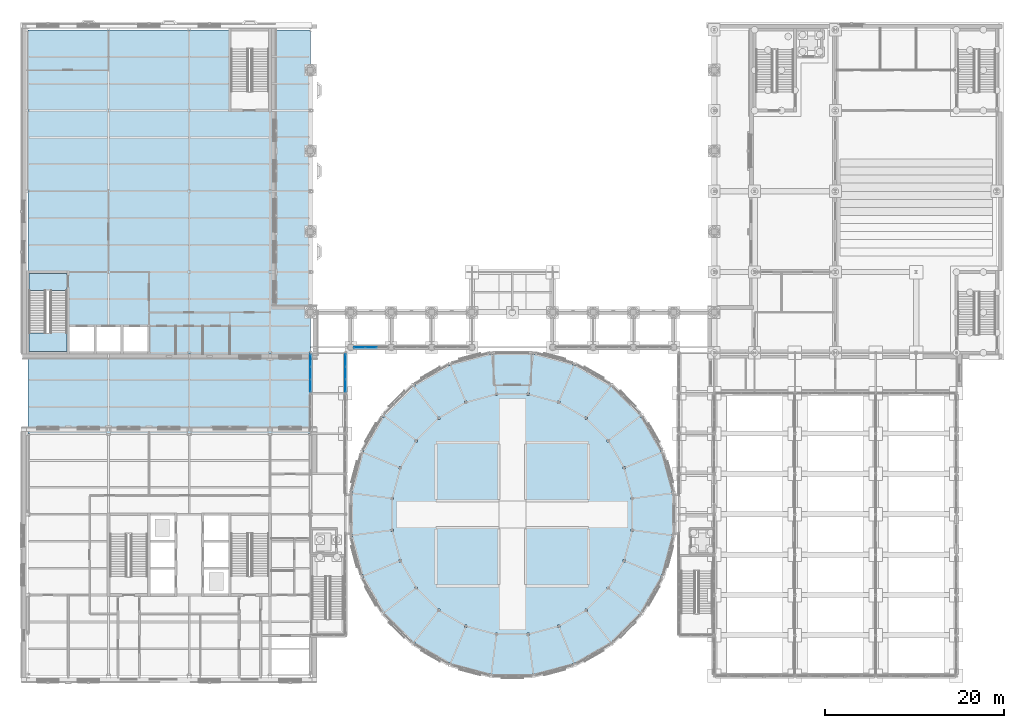
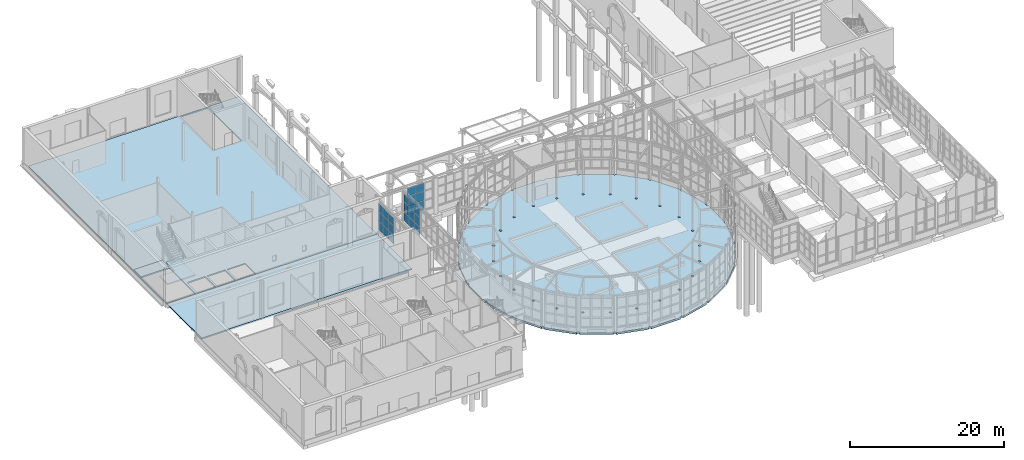
# One storey, part 59 of 106: 24 plates, 5 slabs, 4 elements without a shape of their own.
"""IFC4 building model written with IfcOpenShell, lengths in metres."""

from ifc_helpers import new_model, si_unit, direction, frame, origin, origin_2d, place, context, subcontext, project, spatial, polyline, rectangle, outline, extrude, material, layer, layer_set, type_object, element, aggregate, save


model = new_model("IFC4")

# Units and contexts
model_context = context("Model", 3, precision=1e-05, world=origin(), true_north=direction((0.0, 1.0)))
body_context = subcontext(model_context, "Body", "Model", "MODEL_VIEW")
ifc_project = project(units=[si_unit("LENGTHUNIT", "METRE"), si_unit("AREAUNIT", "SQUARE_METRE"), si_unit("VOLUMEUNIT", "CUBIC_METRE"), si_unit("PLANEANGLEUNIT", "RADIAN"), si_unit("MASSUNIT", "GRAM", prefix="KILO")], contexts=[model_context])

# Site, building, storey
site_placement = place(None, origin())
site = spatial("IfcSite", under=ifc_project, at=site_placement, CompositionType="ELEMENT")
building_placement = place(site_placement, origin())
building = spatial("IfcBuilding", under=site, at=building_placement, Name="Hortulan Conservatory and Botanical Research Centre", CompositionType="ELEMENT")
storey_placement = place(building_placement, origin())
storey = spatial("IfcBuildingStorey", under=building, at=storey_placement, Name="L00", CompositionType="ELEMENT", Elevation=0.0)

# Slabs
ifc_material_1 = material(Name="Concrete N40 (40 MPa, AS 3600)", Category="concrete")
ifc_layer_1 = layer(ifc_material_1, 0.199951171875)
ifc_layer_set_1 = layer_set([ifc_layer_1], Name="Composite Floor Slab 200")
slab_type_1 = type_object("IfcSlabType", Name="Composite Floor Slab 200", PredefinedType="FLOOR", material=ifc_layer_set_1)
slab_1_placement = place(storey_placement, frame((0.0, 0.0, -0.199951171875)))
element("IfcSlab", 1, at=slab_1_placement, inside=storey, type_object=slab_type_1, Name="Floor slab", PredefinedType="FLOOR", context=body_context, shape_type="SweptSolid", body=[
    extrude(outline(polyline([(0.0, 36.0), (31.5, 36.0), (31.5, 72.0), (0.0, 72.0), (0.0, 36.0)]), holes=[polyline([(4.64990234375, 36.14990234375), (7.35009765625, 36.14990234375), (7.35009765625, 38.85009765625), (4.64990234375, 38.85009765625), (4.64990234375, 36.14990234375)]), polyline([(7.64990234375, 36.14990234375), (10.35009765625, 36.14990234375), (10.35009765625, 38.85009765625), (7.64990234375, 38.85009765625), (7.64990234375, 36.14990234375)]), polyline([(10.64990234375, 36.14990234375), (13.35009765625, 36.14990234375), (13.35009765625, 38.85009765625), (10.64990234375, 38.85009765625), (10.64990234375, 36.14990234375)]), polyline([(0.14990234375, 44.85009765625), (0.14990234375, 36.14990234375), (4.35009765625, 36.14990234375), (4.35009765625, 44.85009765625), (0.14990234375, 44.85009765625)]), polyline([(22.64990234375, 71.85009765625), (22.64990234375, 63.14990234375), (26.85009765625, 63.14990234375), (26.85009765625, 71.85009765625), (22.64990234375, 71.85009765625)])]), origin(), (0.0, 0.0, 1.0), 0.199951171875),
])
ifc_layer_2 = layer(ifc_material_1, 0.199951171875)
ifc_layer_set_2 = layer_set([ifc_layer_2], Name="Court Deck Slab 200")
slab_type_2 = type_object("IfcSlabType", Name="Court Deck Slab 200", PredefinedType="ROOF", material=ifc_layer_set_2)
slab_2_placement = place(storey_placement, frame((0.0, 0.0, -0.199951171875)))
element("IfcSlab", 2, at=slab_2_placement, inside=storey, type_object=slab_type_2, Name="Roof slab", PredefinedType="ROOF", context=body_context, shape_type="SweptSolid", body=[
    extrude(outline(polyline([(31.5, 27.0), (31.5, 36.0), (0.0, 36.0), (0.0, 27.0), (31.5, 27.0)])), origin(), (0.0, 0.0, 1.0), 0.199951171875),
])
ifc_layer_3 = layer(ifc_material_1, 0.300048828125)
ifc_layer_set_3 = layer_set([ifc_layer_3], Name="Dome Floor Slab 300")
slab_type_3 = type_object("IfcSlabType", Name="Dome Floor Slab 300", PredefinedType="FLOOR", material=ifc_layer_set_3)
slab_3_placement = place(storey_placement, frame((0.0, 0.0, -0.300048828125)))
element("IfcSlab", 3, at=slab_3_placement, inside=storey, type_object=slab_type_3, Name="Dome floor slab W1", PredefinedType="FLOOR", context=body_context, shape_type="SweptSolid", body=[
    extrude(outline(polyline([(70.822998046875, 11.2373046875), (70.58837890625, 11.2373046875), (70.58837890625, 10.8671875), (70.66650390625, 10.8671875), (68.510498046875, 7.1328125), (68.218505859375, 7.1328125), (68.218505859375, 6.7626953125), (65.2373046875, 3.781494140625), (64.8671875, 3.781494140625), (64.8671875, 3.489501953125), (61.1328125, 1.33349609375), (61.1328125, 1.41162109375), (60.7626953125, 1.41162109375), (60.7626953125, 1.177001953125), (56.5546875, 0.049560546875), (56.5546875, 0.18505859375), (56.184814453125, 0.18505859375), (56.184814453125, 0.0), (51.815185546875, 0.0), (51.815185546875, 0.18505859375), (51.4453125, 0.18505859375), (51.4453125, 0.049560546875), (47.2373046875, 1.177001953125), (47.2373046875, 1.41162109375), (46.8671875, 1.41162109375), (46.8671875, 1.33349609375), (43.1328125, 3.489501953125), (43.1328125, 3.781494140625), (42.7626953125, 3.781494140625), (42.7626953125, 3.781494140625), (39.781494140625, 6.7626953125), (39.781494140625, 7.1328125), (39.489501953125, 7.1328125), (37.33349609375, 10.8671875), (37.41162109375, 10.8671875), (37.41162109375, 11.2373046875), (37.177001953125, 11.2373046875), (36.049560546875, 15.4453125), (36.18505859375, 15.4453125), (36.18505859375, 15.815185546875), (36.0, 15.815185546875), (36.0, 20.184814453125), (36.18505859375, 20.184814453125), (36.18505859375, 20.5546875), (36.049560546875, 20.5546875), (37.177001953125, 24.7626953125), (37.41162109375, 24.7626953125), (37.41162109375, 25.1328125), (37.33349609375, 25.1328125), (39.489501953125, 28.8671875), (39.781494140625, 28.8671875), (39.781494140625, 29.2373046875), (42.7626953125, 32.218505859375), (43.1328125, 32.218505859375), (43.1328125, 32.510498046875), (46.8671875, 34.66650390625), (46.8671875, 34.58837890625), (47.2373046875, 34.58837890625), (47.2373046875, 34.822998046875), (51.4453125, 35.950439453125), (51.4453125, 35.81494140625), (51.815185546875, 35.81494140625), (51.815185546875, 36.0), (56.184814453125, 36.0), (56.184814453125, 35.81494140625), (56.5546875, 35.81494140625), (56.5546875, 35.950439453125), (60.7626953125, 34.822998046875), (60.7626953125, 34.58837890625), (61.1328125, 34.58837890625), (61.1328125, 34.66650390625), (64.8671875, 32.510498046875), (64.8671875, 32.218505859375), (65.2373046875, 32.218505859375), (68.218505859375, 29.2373046875), (68.218505859375, 28.8671875), (68.510498046875, 28.8671875), (70.66650390625, 25.1328125), (70.58837890625, 25.1328125), (70.58837890625, 24.7626953125), (70.822998046875, 24.7626953125), (71.950439453125, 20.5546875), (71.81494140625, 20.5546875), (71.81494140625, 20.184814453125), (72.0, 20.184814453125), (72.0, 15.815185546875), (71.81494140625, 15.815185546875), (71.81494140625, 15.4453125), (71.950439453125, 15.4453125), (70.822998046875, 11.2373046875)]), holes=[polyline([(45.646728515625, 7.15478515625), (45.916748046875, 7.15478515625), (45.916748046875, 7.4248046875), (45.646728515625, 7.4248046875), (45.646728515625, 7.15478515625)]), polyline([(43.4248046875, 9.646728515625), (43.4248046875, 9.916748046875), (43.15478515625, 9.916748046875), (43.15478515625, 9.646728515625), (43.4248046875, 9.646728515625)]), polyline([(41.392578125, 12.69873046875), (41.66259765625, 12.69873046875), (41.66259765625, 12.96875), (41.392578125, 12.96875), (41.392578125, 12.69873046875)]), polyline([(40.48046875, 16.102783203125), (40.75048828125, 16.102783203125), (40.75048828125, 16.372802734375), (40.48046875, 16.372802734375), (40.48046875, 16.102783203125)]), polyline([(40.48046875, 19.627197265625), (40.75048828125, 19.627197265625), (40.75048828125, 19.897216796875), (40.48046875, 19.897216796875), (40.48046875, 19.627197265625)]), polyline([(41.392578125, 23.03125), (41.66259765625, 23.03125), (41.66259765625, 23.30126953125), (41.392578125, 23.30126953125), (41.392578125, 23.03125)]), polyline([(43.4248046875, 26.083251953125), (43.4248046875, 26.353271484375), (43.15478515625, 26.353271484375), (43.15478515625, 26.083251953125), (43.4248046875, 26.083251953125)]), polyline([(45.646728515625, 28.5751953125), (45.916748046875, 28.5751953125), (45.916748046875, 28.84521484375), (45.646728515625, 28.84521484375), (45.646728515625, 28.5751953125)]), polyline([(52.102783203125, 4.48046875), (52.372802734375, 4.48046875), (52.372802734375, 4.75048828125), (52.102783203125, 4.75048828125), (52.102783203125, 4.48046875)]), polyline([(55.897216796875, 4.48046875), (55.897216796875, 4.75048828125), (55.627197265625, 4.75048828125), (55.627197265625, 4.48046875), (55.897216796875, 4.48046875)]), polyline([(48.69873046875, 5.392578125), (48.96875, 5.392578125), (48.96875, 5.66259765625), (48.69873046875, 5.66259765625), (48.69873046875, 5.392578125)]), polyline([(59.03125, 5.392578125), (59.30126953125, 5.392578125), (59.30126953125, 5.66259765625), (59.03125, 5.66259765625), (59.03125, 5.392578125)]), polyline([(48.96875, 30.33740234375), (48.96875, 30.607421875), (48.69873046875, 30.607421875), (48.69873046875, 30.33740234375), (48.96875, 30.33740234375)]), polyline([(59.03125, 30.33740234375), (59.30126953125, 30.33740234375), (59.30126953125, 30.607421875), (59.03125, 30.607421875), (59.03125, 30.33740234375)]), polyline([(52.102783203125, 31.24951171875), (52.372802734375, 31.24951171875), (52.372802734375, 31.51953125), (52.102783203125, 31.51953125), (52.102783203125, 31.24951171875)]), polyline([(55.897216796875, 31.24951171875), (55.897216796875, 31.51953125), (55.627197265625, 31.51953125), (55.627197265625, 31.24951171875), (55.897216796875, 31.24951171875)]), polyline([(62.083251953125, 7.15478515625), (62.353271484375, 7.15478515625), (62.353271484375, 7.4248046875), (62.083251953125, 7.4248046875), (62.083251953125, 7.15478515625)]), polyline([(64.5751953125, 9.646728515625), (64.84521484375, 9.646728515625), (64.84521484375, 9.916748046875), (64.5751953125, 9.916748046875), (64.5751953125, 9.646728515625)]), polyline([(66.33740234375, 12.69873046875), (66.607421875, 12.69873046875), (66.607421875, 12.96875), (66.33740234375, 12.96875), (66.33740234375, 12.69873046875)]), polyline([(67.51953125, 16.102783203125), (67.51953125, 16.372802734375), (67.24951171875, 16.372802734375), (67.24951171875, 16.102783203125), (67.51953125, 16.102783203125)]), polyline([(67.24951171875, 19.627197265625), (67.51953125, 19.627197265625), (67.51953125, 19.897216796875), (67.24951171875, 19.897216796875), (67.24951171875, 19.627197265625)]), polyline([(66.607421875, 23.03125), (66.607421875, 23.30126953125), (66.33740234375, 23.30126953125), (66.33740234375, 23.03125), (66.607421875, 23.03125)]), polyline([(64.5751953125, 26.083251953125), (64.84521484375, 26.083251953125), (64.84521484375, 26.353271484375), (64.5751953125, 26.353271484375), (64.5751953125, 26.083251953125)]), polyline([(62.353271484375, 28.5751953125), (62.353271484375, 28.84521484375), (62.083251953125, 28.84521484375), (62.083251953125, 28.5751953125), (62.353271484375, 28.5751953125)])]), origin(), (0.0, 0.0, 1.0), 0.300048828125),
])

# Curtain wall, plates
ifc_material_2 = material(Name="Bronze-finished aluminium", Category="aluminium")
ifc_layer_4 = layer(ifc_material_2, 0.10009765625)
ifc_layer_set_4 = layer_set([ifc_layer_4], Name="Bronze-framed Curtain Wall 1500 module")
curtain_wall_type = type_object("IfcCurtainWallType", Name="Bronze-framed Curtain Wall 1500 module", PredefinedType="NOTDEFINED", material=ifc_layer_set_4)
curtain_wall_1_placement = place(storey_placement, origin())
curtain_wall_1 = element("IfcCurtainWall", 4, at=curtain_wall_1_placement, inside=storey, type_object=curtain_wall_type, Name="Curtain wall", PredefinedType="NOTDEFINED")
ifc_material_3 = material(Name="Low-e laminated glass", Category="glass")
ifc_layer_5 = layer(ifc_material_3, 0.028076171875)
ifc_layer_set_5 = layer_set([ifc_layer_5], Name="Laminated Glass Panel 28")
plate_type = type_object("IfcPlateType", Name="Laminated Glass Panel 28", PredefinedType="CURTAIN_PANEL", material=ifc_layer_set_5)
plate_1_placement = place(storey_placement, frame((35.39990234375, 35.151611328125, 0.9599609375), z_axis=(0.0, 0.0, 1.0), x_axis=(0.0, -1.0, 0.0)))
plate_1 = element("IfcPlate", 5, at=plate_1_placement, type_object=plate_type, Name="CW1 panel 1.1", PredefinedType="CURTAIN_PANEL", context=body_context, shape_type="SweptSolid", body=[
    extrude(rectangle(XDim=1.32666015625, YDim=0.028076171875, at=origin_2d()), origin(), (0.0, 0.0, 1.0), 1.409912109375),
])
plate_2_placement = place(storey_placement, frame((35.39990234375, 35.151611328125, 2.429931640625), z_axis=(0.0, 0.0, 1.0), x_axis=(0.0, -1.0, 0.0)))
plate_2 = element("IfcPlate", 6, at=plate_2_placement, type_object=plate_type, Name="CW1 panel 1.2", PredefinedType="CURTAIN_PANEL", context=body_context, shape_type="SweptSolid", body=[
    extrude(rectangle(XDim=1.32666015625, YDim=0.028076171875, at=origin_2d()), origin(), (0.0, 0.0, 1.0), 1.43994140625),
])
plate_3_placement = place(storey_placement, frame((35.39990234375, 35.151611328125, 3.929931640625), z_axis=(0.0, 0.0, 1.0), x_axis=(0.0, -1.0, 0.0)))
plate_3 = element("IfcPlate", 7, at=plate_3_placement, type_object=plate_type, Name="CW1 panel 1.3", PredefinedType="CURTAIN_PANEL", context=body_context, shape_type="SweptSolid", body=[
    extrude(rectangle(XDim=1.32666015625, YDim=0.028076171875, at=origin_2d()), origin(), (0.0, 0.0, 1.0), 1.25),
])
plate_4_placement = place(storey_placement, frame((35.39990234375, 33.75, 0.9599609375), z_axis=(0.0, 0.0, 1.0), x_axis=(0.0, -1.0, 0.0)))
plate_4 = element("IfcPlate", 8, at=plate_4_placement, type_object=plate_type, Name="CW1 panel 2.1", PredefinedType="CURTAIN_PANEL", context=body_context, shape_type="SweptSolid", body=[
    extrude(rectangle(XDim=1.356689453125, YDim=0.028076171875, at=origin_2d()), origin(), (0.0, 0.0, 1.0), 1.409912109375),
])
plate_5_placement = place(storey_placement, frame((35.39990234375, 33.75, 2.429931640625), z_axis=(0.0, 0.0, 1.0), x_axis=(0.0, -1.0, 0.0)))
plate_5 = element("IfcPlate", 9, at=plate_5_placement, type_object=plate_type, Name="CW1 panel 2.2", PredefinedType="CURTAIN_PANEL", context=body_context, shape_type="SweptSolid", body=[
    extrude(rectangle(XDim=1.356689453125, YDim=0.028076171875, at=origin_2d()), origin(), (0.0, 0.0, 1.0), 1.43994140625),
])
plate_6_placement = place(storey_placement, frame((35.39990234375, 33.75, 3.929931640625), z_axis=(0.0, 0.0, 1.0), x_axis=(0.0, -1.0, 0.0)))
plate_6 = element("IfcPlate", 10, at=plate_6_placement, type_object=plate_type, Name="CW1 panel 2.3", PredefinedType="CURTAIN_PANEL", context=body_context, shape_type="SweptSolid", body=[
    extrude(rectangle(XDim=1.356689453125, YDim=0.028076171875, at=origin_2d()), origin(), (0.0, 0.0, 1.0), 1.25),
])
plate_7_placement = place(storey_placement, frame((35.39990234375, 32.348388671875, 0.9599609375), z_axis=(0.0, 0.0, 1.0), x_axis=(0.0, -1.0, 0.0)))
plate_7 = element("IfcPlate", 11, at=plate_7_placement, type_object=plate_type, Name="CW1 panel 3.1", PredefinedType="CURTAIN_PANEL", context=body_context, shape_type="SweptSolid", body=[
    extrude(rectangle(XDim=1.32666015625, YDim=0.028076171875, at=origin_2d()), origin(), (0.0, 0.0, 1.0), 1.409912109375),
])
plate_8_placement = place(storey_placement, frame((35.39990234375, 32.348388671875, 2.429931640625), z_axis=(0.0, 0.0, 1.0), x_axis=(0.0, -1.0, 0.0)))
plate_8 = element("IfcPlate", 12, at=plate_8_placement, type_object=plate_type, Name="CW1 panel 3.2", PredefinedType="CURTAIN_PANEL", context=body_context, shape_type="SweptSolid", body=[
    extrude(rectangle(XDim=1.32666015625, YDim=0.028076171875, at=origin_2d()), origin(), (0.0, 0.0, 1.0), 1.43994140625),
])
plate_9_placement = place(storey_placement, frame((35.39990234375, 32.348388671875, 3.929931640625), z_axis=(0.0, 0.0, 1.0), x_axis=(0.0, -1.0, 0.0)))
plate_9 = element("IfcPlate", 13, at=plate_9_placement, type_object=plate_type, Name="CW1 panel 3.3", PredefinedType="CURTAIN_PANEL", context=body_context, shape_type="SweptSolid", body=[
    extrude(rectangle(XDim=1.32666015625, YDim=0.028076171875, at=origin_2d()), origin(), (0.0, 0.0, 1.0), 1.25),
])
aggregate(curtain_wall_1, [plate_1, plate_2, plate_3, plate_4, plate_5, plate_6, plate_7, plate_8, plate_9])

curtain_wall_2_placement = place(storey_placement, origin())
curtain_wall_2 = element("IfcCurtainWall", 14, at=curtain_wall_2_placement, inside=storey, type_object=curtain_wall_type, Name="Curtain wall", PredefinedType="NOTDEFINED")
plate_10_placement = place(storey_placement, frame((31.5, 32.342529296875, 0.9599609375), z_axis=(0.0, 0.0, 1.0), x_axis=(0.0, 1.0, 0.0)))
plate_10 = element("IfcPlate", 15, at=plate_10_placement, type_object=plate_type, Name="CW1 panel 1.1", PredefinedType="CURTAIN_PANEL", context=body_context, shape_type="SweptSolid", body=[
    extrude(rectangle(XDim=1.31494140625, YDim=0.028076171875, at=origin_2d()), origin(), (0.0, 0.0, 1.0), 1.409912109375),
])
plate_11_placement = place(storey_placement, frame((31.5, 32.342529296875, 2.429931640625), z_axis=(0.0, 0.0, 1.0), x_axis=(0.0, 1.0, 0.0)))
plate_11 = element("IfcPlate", 16, at=plate_11_placement, type_object=plate_type, Name="CW1 panel 1.2", PredefinedType="CURTAIN_PANEL", context=body_context, shape_type="SweptSolid", body=[
    extrude(rectangle(XDim=1.31494140625, YDim=0.028076171875, at=origin_2d()), origin(), (0.0, 0.0, 1.0), 1.43994140625),
])
plate_12_placement = place(storey_placement, frame((31.5, 32.342529296875, 3.929931640625), z_axis=(0.0, 0.0, 1.0), x_axis=(0.0, 1.0, 0.0)))
plate_12 = element("IfcPlate", 17, at=plate_12_placement, type_object=plate_type, Name="CW1 panel 1.3", PredefinedType="CURTAIN_PANEL", context=body_context, shape_type="SweptSolid", body=[
    extrude(rectangle(XDim=1.31494140625, YDim=0.028076171875, at=origin_2d()), origin(), (0.0, 0.0, 1.0), 1.25),
])
plate_13_placement = place(storey_placement, frame((31.5, 33.732177734375, 0.9599609375), z_axis=(0.0, 0.0, 1.0), x_axis=(0.0, 1.0, 0.0)))
plate_13 = element("IfcPlate", 18, at=plate_13_placement, type_object=plate_type, Name="CW1 panel 2.1", PredefinedType="CURTAIN_PANEL", context=body_context, shape_type="SweptSolid", body=[
    extrude(rectangle(XDim=1.3447265625, YDim=0.028076171875, at=origin_2d()), origin(), (0.0, 0.0, 1.0), 1.409912109375),
])
plate_14_placement = place(storey_placement, frame((31.5, 33.732177734375, 2.429931640625), z_axis=(0.0, 0.0, 1.0), x_axis=(0.0, 1.0, 0.0)))
plate_14 = element("IfcPlate", 19, at=plate_14_placement, type_object=plate_type, Name="CW1 panel 2.2", PredefinedType="CURTAIN_PANEL", context=body_context, shape_type="SweptSolid", body=[
    extrude(rectangle(XDim=1.3447265625, YDim=0.028076171875, at=origin_2d()), origin(), (0.0, 0.0, 1.0), 1.43994140625),
])
plate_15_placement = place(storey_placement, frame((31.5, 33.732177734375, 3.929931640625), z_axis=(0.0, 0.0, 1.0), x_axis=(0.0, 1.0, 0.0)))
plate_15 = element("IfcPlate", 20, at=plate_15_placement, type_object=plate_type, Name="CW1 panel 2.3", PredefinedType="CURTAIN_PANEL", context=body_context, shape_type="SweptSolid", body=[
    extrude(rectangle(XDim=1.3447265625, YDim=0.028076171875, at=origin_2d()), origin(), (0.0, 0.0, 1.0), 1.25),
])
plate_16_placement = place(storey_placement, frame((31.5, 35.1220703125, 0.9599609375), z_axis=(0.0, 0.0, 1.0), x_axis=(0.0, 1.0, 0.0)))
plate_16 = element("IfcPlate", 21, at=plate_16_placement, type_object=plate_type, Name="CW1 panel 3.1", PredefinedType="CURTAIN_PANEL", context=body_context, shape_type="SweptSolid", body=[
    extrude(rectangle(XDim=1.31494140625, YDim=0.028076171875, at=origin_2d()), origin(), (0.0, 0.0, 1.0), 1.409912109375),
])
plate_17_placement = place(storey_placement, frame((31.5, 35.1220703125, 2.429931640625), z_axis=(0.0, 0.0, 1.0), x_axis=(0.0, 1.0, 0.0)))
plate_17 = element("IfcPlate", 22, at=plate_17_placement, type_object=plate_type, Name="CW1 panel 3.2", PredefinedType="CURTAIN_PANEL", context=body_context, shape_type="SweptSolid", body=[
    extrude(rectangle(XDim=1.31494140625, YDim=0.028076171875, at=origin_2d()), origin(), (0.0, 0.0, 1.0), 1.43994140625),
])
plate_18_placement = place(storey_placement, frame((31.5, 35.1220703125, 3.929931640625), z_axis=(0.0, 0.0, 1.0), x_axis=(0.0, 1.0, 0.0)))
plate_18 = element("IfcPlate", 23, at=plate_18_placement, type_object=plate_type, Name="CW1 panel 3.3", PredefinedType="CURTAIN_PANEL", context=body_context, shape_type="SweptSolid", body=[
    extrude(rectangle(XDim=1.31494140625, YDim=0.028076171875, at=origin_2d()), origin(), (0.0, 0.0, 1.0), 1.25),
])
aggregate(curtain_wall_2, [plate_10, plate_11, plate_12, plate_13, plate_14, plate_15, plate_16, plate_17, plate_18])

curtain_wall_3_placement = place(storey_placement, origin())
curtain_wall_3 = element("IfcCurtainWall", 24, at=curtain_wall_3_placement, inside=storey, type_object=curtain_wall_type, Name="Curtain wall", PredefinedType="NOTDEFINED")
plate_19_placement = place(storey_placement, frame((36.965087890625, 36.60009765625, 0.9599609375), z_axis=(0.0, 0.0, 1.0), x_axis=(1.0, 0.0, 0.0)))
plate_19 = element("IfcPlate", 25, at=plate_19_placement, type_object=plate_type, Name="CW1 panel 1.1", PredefinedType="CURTAIN_PANEL", context=body_context, shape_type="SweptSolid", body=[
    extrude(rectangle(XDim=1.2099609375, YDim=0.028076171875, at=origin_2d()), origin(), (0.0, 0.0, 1.0), 1.409912109375),
])
plate_20_placement = place(storey_placement, frame((36.965087890625, 36.60009765625, 2.429931640625), z_axis=(0.0, 0.0, 1.0), x_axis=(1.0, 0.0, 0.0)))
plate_20 = element("IfcPlate", 26, at=plate_20_placement, type_object=plate_type, Name="CW1 panel 1.2", PredefinedType="CURTAIN_PANEL", context=body_context, shape_type="SweptSolid", body=[
    extrude(rectangle(XDim=1.2099609375, YDim=0.028076171875, at=origin_2d()), origin(), (0.0, 0.0, 1.0), 1.43994140625),
])
plate_21_placement = place(storey_placement, frame((36.965087890625, 36.60009765625, 3.929931640625), z_axis=(0.0, 0.0, 1.0), x_axis=(1.0, 0.0, 0.0)))
plate_21 = element("IfcPlate", 27, at=plate_21_placement, type_object=plate_type, Name="CW1 panel 1.3", PredefinedType="CURTAIN_PANEL", context=body_context, shape_type="SweptSolid", body=[
    extrude(rectangle(XDim=1.2099609375, YDim=0.028076171875, at=origin_2d()), origin(), (0.0, 0.0, 1.0), 1.25),
])
plate_22_placement = place(storey_placement, frame((38.25, 36.60009765625, 0.9599609375), z_axis=(0.0, 0.0, 1.0), x_axis=(1.0, 0.0, 0.0)))
plate_22 = element("IfcPlate", 28, at=plate_22_placement, type_object=plate_type, Name="CW1 panel 2.1", PredefinedType="CURTAIN_PANEL", context=body_context, shape_type="SweptSolid", body=[
    extrude(rectangle(XDim=1.239990234375, YDim=0.028076171875, at=origin_2d()), origin(), (0.0, 0.0, 1.0), 1.409912109375),
])
plate_23_placement = place(storey_placement, frame((38.25, 36.60009765625, 2.429931640625), z_axis=(0.0, 0.0, 1.0), x_axis=(1.0, 0.0, 0.0)))
plate_23 = element("IfcPlate", 29, at=plate_23_placement, type_object=plate_type, Name="CW1 panel 2.2", PredefinedType="CURTAIN_PANEL", context=body_context, shape_type="SweptSolid", body=[
    extrude(rectangle(XDim=1.239990234375, YDim=0.028076171875, at=origin_2d()), origin(), (0.0, 0.0, 1.0), 1.43994140625),
])
plate_24_placement = place(storey_placement, frame((38.25, 36.60009765625, 3.929931640625), z_axis=(0.0, 0.0, 1.0), x_axis=(1.0, 0.0, 0.0)))
plate_24 = element("IfcPlate", 30, at=plate_24_placement, type_object=plate_type, Name="CW1 panel 2.3", PredefinedType="CURTAIN_PANEL", context=body_context, shape_type="SweptSolid", body=[
    extrude(rectangle(XDim=1.239990234375, YDim=0.028076171875, at=origin_2d()), origin(), (0.0, 0.0, 1.0), 1.25),
])
aggregate(curtain_wall_3, [plate_19, plate_20, plate_21, plate_22, plate_23, plate_24])

# Stair, slab
stair_type = type_object("IfcStairType", Name="Concrete Escape Stair 1900", PredefinedType="HALF_TURN_STAIR", material=ifc_material_1)
stair_placement = place(storey_placement, origin())
stair = element("IfcStair", 31, at=stair_placement, inside=storey, type_object=stair_type, Name="Stair V1 L00", PredefinedType="HALF_TURN_STAIR")
ifc_layer_6 = layer(ifc_material_1, 0.199951171875)
ifc_layer_set_6 = layer_set([ifc_layer_6], Name="Stair Landing 200")
slab_type_4 = type_object("IfcSlabType", Name="Stair Landing 200", PredefinedType="LANDING", material=ifc_layer_set_6)
slab_4_placement = place(storey_placement, frame((0.0, 0.0, 2.800048828125)))
slab_4 = element("IfcSlab", 32, at=slab_4_placement, type_object=slab_type_4, Name="Stair V1 L00 half landing 1", PredefinedType="LANDING", context=body_context, shape_type="SweptSolid", body=[
    extrude(outline(polyline([(0.14990234375, 38.1904296875), (2.449951171875, 38.1904296875), (2.449951171875, 40.570068359375), (4.35009765625, 40.570068359375), (4.35009765625, 38.1904296875), (4.35009765625, 38.18994140625), (4.35009765625, 38.179931640625), (4.35009765625, 36.14990234375), (0.14990234375, 36.14990234375), (0.14990234375, 38.179931640625), (0.14990234375, 38.18994140625), (0.14990234375, 38.1904296875)])), origin(), (0.0, 0.0, 1.0), 0.199951171875),
])
aggregate(stair, [slab_4])

# Slab
slab_5_placement = place(storey_placement, frame((0.0, 0.0, -0.199951171875)))
element("IfcSlab", 33, at=slab_5_placement, inside=storey, type_object=slab_type_4, Name="Stair V1 floor landing L00", PredefinedType="LANDING", context=body_context, shape_type="SweptSolid", body=[
    extrude(outline(polyline([(0.14990234375, 44.85009765625), (4.35009765625, 44.85009765625), (4.35009765625, 42.949951171875), (0.14990234375, 42.949951171875), (0.14990234375, 44.85009765625)])), origin(), (0.0, 0.0, 1.0), 0.199951171875),
])

save(model, "model.ifc")
